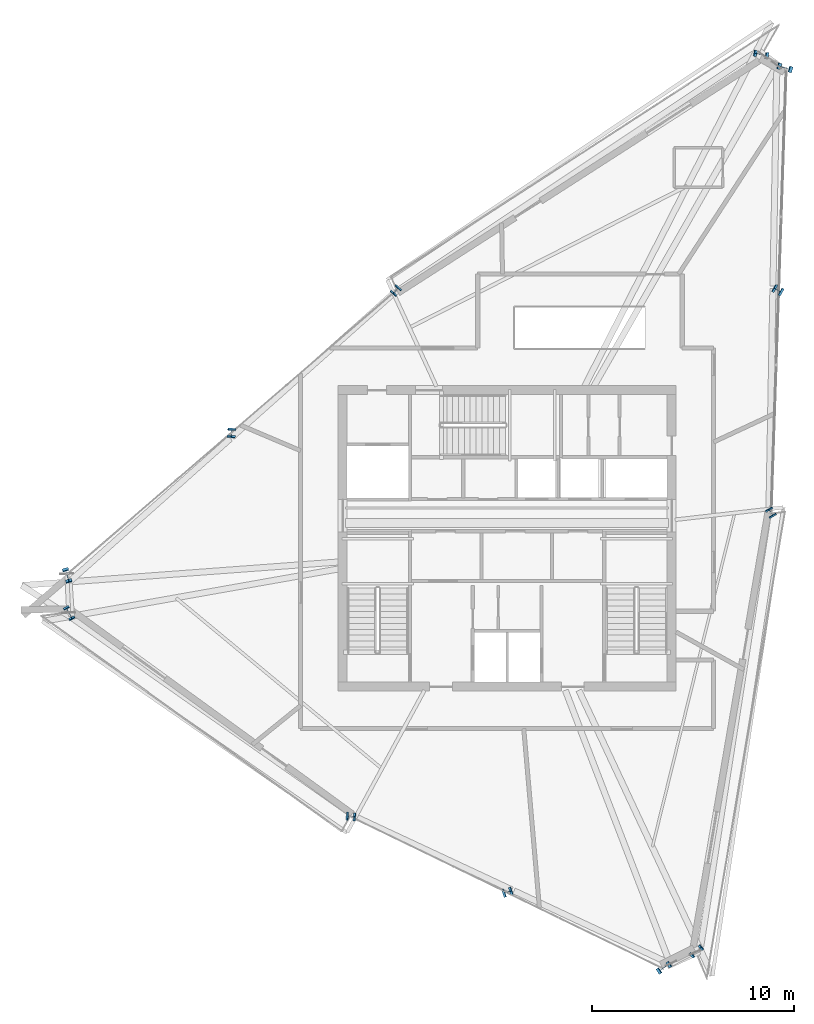
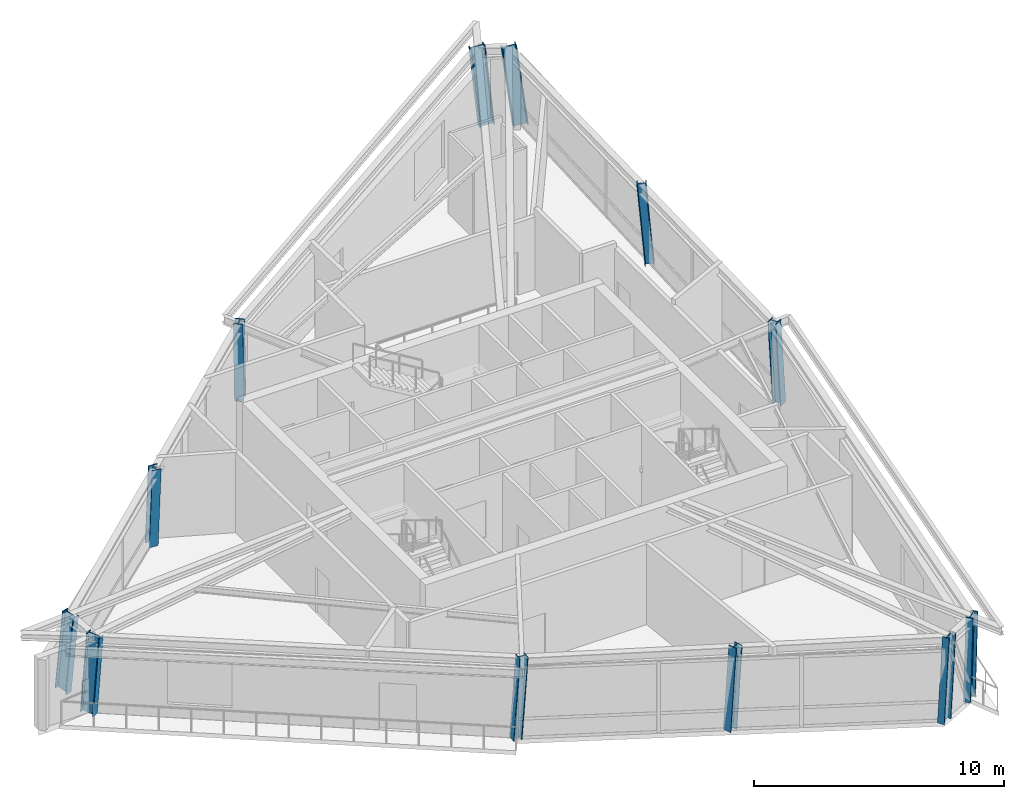
# One storey, part 1 of 22: 12 columns.
"""IFC4 building model written with IfcOpenShell, lengths in metres."""

from ifc_helpers import new_model, si_unit, direction, frame, origin, origin_2d, place, context, subcontext, project, spatial, i_section, extrude, source, transform, mapped, material, material_profile, profile_set, type_object, element, save


model = new_model("IFC4")

# Units and contexts
model_context = context("Model", 3, precision=1e-05, world=origin(), true_north=direction((0.0, 1.0)))
body_context = subcontext(model_context, "Body", "Model", "MODEL_VIEW")
ifc_project = project(units=[si_unit("LENGTHUNIT", "METRE"), si_unit("AREAUNIT", "SQUARE_METRE"), si_unit("VOLUMEUNIT", "CUBIC_METRE"), si_unit("PLANEANGLEUNIT", "RADIAN"), si_unit("MASSUNIT", "GRAM", prefix="KILO")], contexts=[model_context])

# Site, building, storey
site_placement = place(None, origin())
site = spatial("IfcSite", under=ifc_project, at=site_placement, CompositionType="ELEMENT")
building_placement = place(site_placement, origin())
building = spatial("IfcBuilding", under=site, at=building_placement, Name="Olszyna Solenne Hotel", CompositionType="ELEMENT")
storey_placement = place(building_placement, frame((0.0, 0.0, 281.89990234375)))
storey = spatial("IfcBuildingStorey", under=building, at=storey_placement, Name="L75", CompositionType="ELEMENT", Elevation=281.89990234375)

# Columns
ifc_material_1 = material(Name="Steel S355J2", Category="steel")
ifc_material_profile_1 = material_profile(ifc_material_1, i_section(OverallWidth=0.39794921875, OverallDepth=0.386962890625, WebThickness=0.0185546875, FlangeThickness=0.029052734375, at=origin_2d()), Name="HD 400x262", Category="load-bearing")
ifc_profile_set_1 = profile_set([ifc_material_profile_1], Name="Steel S355J2")
column_type_1 = type_object("IfcColumnType", Name="COL-T6", PredefinedType="COLUMN", material=ifc_profile_set_1)
shared_shape_1 = source(origin(), body_context, "Body", "SweptSolid", [
    extrude(i_section(OverallWidth=0.39794921875, OverallDepth=0.386962890625, WebThickness=0.0185546875, FlangeThickness=0.029052734375, at=origin_2d()), origin(), (0.0, 0.0, 1.0), 3.9453125),
])
column_1_placement = place(storey_placement, frame((24.39208984375, 31.8466796875, 0.0), z_axis=(-0.004888714821, -0.071598013262, 0.997421588379), x_axis=(0.997677037813, -0.068121422634, 0.0)))
element("IfcColumn", 1, at=column_1_placement, inside=storey, type_object=column_type_1, Name="Perimeter framed-tube column COL-T6 C-L75-04", PredefinedType="COLUMN", context=body_context, shape_type="MappedRepresentation", body=[
    mapped(shared_shape_1, transform((0.0, 0.0, 0.0), x_axis=(1.0, 0.0, 0.0), y_axis=(0.0, 1.0, 0.0), z_axis=(0.0, 0.0, 1.0), scale=1.0)),
])
ifc_material_2 = material(Name="Steel S460M", Category="steel")
ifc_material_profile_2 = material_profile(ifc_material_2, i_section(OverallWidth=0.304931640625, OverallDepth=0.6201171875, WebThickness=0.02099609375, FlangeThickness=0.0400390625, at=origin_2d()), Name="HEM 600", Category="load-bearing")
ifc_profile_set_2 = profile_set([ifc_material_profile_2], Name="Steel S460M")
column_type_2 = type_object("IfcColumnType", Name="COL-K3", PredefinedType="COLUMN", material=ifc_profile_set_2)
shared_shape_2 = source(origin(), body_context, "Body", "SweptSolid", [
    extrude(i_section(OverallWidth=0.304931640625, OverallDepth=0.6201171875, WebThickness=0.02099609375, FlangeThickness=0.0400390625, at=origin_2d()), origin(), (0.0, 0.0, 1.0), 3.958984375),
])
column_2_placement = place(storey_placement, frame((45.68994140625, 5.352783203125, 0.0), z_axis=(0.091887262438, 0.059572547325, 0.99398583622), x_axis=(-0.543998260544, 0.839086343903, 0.0)))
element("IfcColumn", 2, at=column_2_placement, inside=storey, type_object=column_type_2, Name="Perimeter framed-tube column COL-K3 C-L75-09", PredefinedType="COLUMN", context=body_context, shape_type="MappedRepresentation", body=[
    mapped(shared_shape_2, transform((0.0, 0.0, 0.0), x_axis=(1.0, 0.0, 0.0), y_axis=(0.0, 1.0, 0.0), z_axis=(0.0, 0.0, 1.0), scale=1.0)),
])
shared_shape_3 = source(origin(), body_context, "Body", "SweptSolid", [
    extrude(i_section(OverallWidth=0.39794921875, OverallDepth=0.386962890625, WebThickness=0.0185546875, FlangeThickness=0.029052734375, at=origin_2d()), origin(), (0.0, 0.0, 1.0), 3.94140625),
])
column_3_placement = place(storey_placement, frame((51.04443359375, 27.837890625, 0.0), z_axis=(-0.028432007479, 0.048811376674, 0.99840326044), x_axis=(-0.864096904342, -0.503325481082, 0.0)))
element("IfcColumn", 3, at=column_3_placement, inside=storey, type_object=column_type_1, Name="Perimeter framed-tube column COL-T6 C-L75-11", PredefinedType="COLUMN", context=body_context, shape_type="MappedRepresentation", body=[
    mapped(shared_shape_3, transform((0.0, 0.0, 0.0), x_axis=(1.0, 0.0, 0.0), y_axis=(0.0, 1.0, 0.0), z_axis=(0.0, 0.0, 1.0), scale=1.0)),
])
shared_shape_4 = source(origin(), body_context, "Body", "SweptSolid", [
    extrude(i_section(OverallWidth=0.39794921875, OverallDepth=0.386962890625, WebThickness=0.0185546875, FlangeThickness=0.029052734375, at=origin_2d()), origin(), (0.0, 0.0, 1.0), 3.948974609375),
])
column_4_placement = place(storey_placement, frame((51.41650390625, 38.826171875, 0.0), z_axis=(-0.072828075966, 0.041730858469, 0.996471076752), x_axis=(-0.497169755353, -0.867653291564, 0.0)))
element("IfcColumn", 4, at=column_4_placement, inside=storey, type_object=column_type_1, Name="Perimeter framed-tube column COL-T6 C-L75-12", PredefinedType="COLUMN", context=body_context, shape_type="MappedRepresentation", body=[
    mapped(shared_shape_4, transform((0.0, 0.0, 0.0), x_axis=(1.0, 0.0, 0.0), y_axis=(0.0, 1.0, 0.0), z_axis=(0.0, 0.0, 1.0), scale=1.0)),
])
shared_shape_5 = source(origin(), body_context, "Body", "SweptSolid", [
    extrude(i_section(OverallWidth=0.304931640625, OverallDepth=0.6201171875, WebThickness=0.02099609375, FlangeThickness=0.0400390625, at=origin_2d()), origin(), (0.0, 0.0, 1.0), 3.964599609375),
])
column_5_placement = place(storey_placement, frame((51.788330078125, 49.814208984375, 0.0), z_axis=(-0.116756713221, 0.034669846806, 0.992555223471), x_axis=(-0.284656369673, -0.958629621493, 0.0)))
element("IfcColumn", 5, at=column_5_placement, inside=storey, type_object=column_type_2, Name="Perimeter framed-tube column COL-K3 C-L75-01", PredefinedType="COLUMN", context=body_context, shape_type="MappedRepresentation", body=[
    mapped(shared_shape_5, transform((0.0, 0.0, 0.0), x_axis=(1.0, 0.0, 0.0), y_axis=(0.0, 1.0, 0.0), z_axis=(0.0, 0.0, 1.0), scale=1.0)),
])
shared_shape_6 = source(origin(), body_context, "Body", "SweptSolid", [
    extrude(i_section(OverallWidth=0.304931640625, OverallDepth=0.6201171875, WebThickness=0.02099609375, FlangeThickness=0.0400390625, at=origin_2d()), origin(), (0.0, 0.0, 1.0), 3.95458984375),
])
column_6_placement = place(storey_placement, frame((50.603271484375, 50.486083984375, 0.0), z_axis=(-0.097849200972, 0.018088211915, 0.995036858844), x_axis=(-0.181778226505, -0.983339552936, 0.0)))
element("IfcColumn", 6, at=column_6_placement, inside=storey, type_object=column_type_2, Name="Perimeter framed-tube column COL-K3 C-L75-02", PredefinedType="COLUMN", context=body_context, shape_type="MappedRepresentation", body=[
    mapped(shared_shape_6, transform((0.0, 0.0, 0.0), x_axis=(1.0, 0.0, 0.0), y_axis=(0.0, 1.0, 0.0), z_axis=(0.0, 0.0, 1.0), scale=1.0)),
])
shared_shape_7 = source(origin(), body_context, "Body", "SweptSolid", [
    extrude(i_section(OverallWidth=0.39794921875, OverallDepth=0.386962890625, WebThickness=0.0185546875, FlangeThickness=0.029052734375, at=origin_2d()), origin(), (0.0, 0.0, 1.0), 3.94189453125),
])
column_7_placement = place(storey_placement, frame((32.53076171875, 38.861083984375, 0.0), z_axis=(-0.039204330558, -0.044159064278, 0.9982549762), x_axis=(0.747814244306, -0.663908017736, 0.0)))
element("IfcColumn", 7, at=column_7_placement, inside=storey, type_object=column_type_1, Name="Perimeter framed-tube column COL-T6 C-L75-03", PredefinedType="COLUMN", context=body_context, shape_type="MappedRepresentation", body=[
    mapped(shared_shape_7, transform((0.0, 0.0, 0.0), x_axis=(1.0, 0.0, 0.0), y_axis=(0.0, 1.0, 0.0), z_axis=(0.0, 0.0, 1.0), scale=1.0)),
])
shared_shape_8 = source(origin(), body_context, "Body", "SweptSolid", [
    extrude(i_section(OverallWidth=0.304931640625, OverallDepth=0.6201171875, WebThickness=0.02099609375, FlangeThickness=0.0400390625, at=origin_2d()), origin(), (0.0, 0.0, 1.0), 3.9560546875),
])
column_8_placement = place(storey_placement, frame((16.25341796875, 24.83251953125, 0.0), z_axis=(0.029189564882, -0.098923620519, 0.994666821908), x_axis=(0.95911741707, 0.283008445586, 0.0)))
element("IfcColumn", 8, at=column_8_placement, inside=storey, type_object=column_type_2, Name="Perimeter framed-tube column COL-K3 C-L75-05", PredefinedType="COLUMN", context=body_context, shape_type="MappedRepresentation", body=[
    mapped(shared_shape_8, transform((0.0, 0.0, 0.0), x_axis=(1.0, 0.0, 0.0), y_axis=(0.0, 1.0, 0.0), z_axis=(0.0, 0.0, 1.0), scale=1.0)),
])
shared_shape_9 = source(origin(), body_context, "Body", "SweptSolid", [
    extrude(i_section(OverallWidth=0.304931640625, OverallDepth=0.6201171875, WebThickness=0.02099609375, FlangeThickness=0.0400390625, at=origin_2d()), origin(), (0.0, 0.0, 1.0), 3.945556640625),
])
column_9_placement = place(storey_placement, frame((16.348876953125, 22.947021484375, 0.0), z_axis=(0.034527375469, -0.064290220632, 0.997333759518), x_axis=(0.880987884191, 0.473138825196, 0.0)))
element("IfcColumn", 9, at=column_9_placement, inside=storey, type_object=column_type_2, Name="Perimeter framed-tube column COL-K3 C-L75-06", PredefinedType="COLUMN", context=body_context, shape_type="MappedRepresentation", body=[
    mapped(shared_shape_9, transform((0.0, 0.0, 0.0), x_axis=(1.0, 0.0, 0.0), y_axis=(0.0, 1.0, 0.0), z_axis=(0.0, 0.0, 1.0), scale=1.0)),
])
shared_shape_10 = source(origin(), body_context, "Body", "SweptSolid", [
    extrude(i_section(OverallWidth=0.39794921875, OverallDepth=0.386962890625, WebThickness=0.0185546875, FlangeThickness=0.029052734375, at=origin_2d()), origin(), (0.0, 0.0, 1.0), 3.9443359375),
])
column_10_placement = place(storey_placement, frame((30.248046875, 12.863525390625, 0.0), z_axis=(0.068518591156, -0.005323034182, 0.997635638885), x_axis=(0.077454064379, 0.996995921712, 0.0)))
element("IfcColumn", 10, at=column_10_placement, inside=storey, type_object=column_type_1, Name="Perimeter framed-tube column COL-T6 C-L75-07", PredefinedType="COLUMN", context=body_context, shape_type="MappedRepresentation", body=[
    mapped(shared_shape_10, transform((0.0, 0.0, 0.0), x_axis=(1.0, 0.0, 0.0), y_axis=(0.0, 1.0, 0.0), z_axis=(0.0, 0.0, 1.0), scale=1.0)),
])
shared_shape_11 = source(origin(), body_context, "Body", "SweptSolid", [
    extrude(i_section(OverallWidth=0.39794921875, OverallDepth=0.386962890625, WebThickness=0.0185546875, FlangeThickness=0.029052734375, at=origin_2d()), origin(), (0.0, 0.0, 1.0), 3.94921875),
])
column_11_placement = place(storey_placement, frame((37.968994140625, 9.108154296875, 0.0), z_axis=(0.080241513705, 0.02720051312, 0.996404251077), x_axis=(-0.321039281158, 0.947065879416, 0.0)))
element("IfcColumn", 11, at=column_11_placement, inside=storey, type_object=column_type_1, Name="Perimeter framed-tube column COL-T6 C-L75-08", PredefinedType="COLUMN", context=body_context, shape_type="MappedRepresentation", body=[
    mapped(shared_shape_11, transform((0.0, 0.0, 0.0), x_axis=(1.0, 0.0, 0.0), y_axis=(0.0, 1.0, 0.0), z_axis=(0.0, 0.0, 1.0), scale=1.0)),
])
shared_shape_12 = source(origin(), body_context, "Body", "SweptSolid", [
    extrude(i_section(OverallWidth=0.304931640625, OverallDepth=0.6201171875, WebThickness=0.02099609375, FlangeThickness=0.0400390625, at=origin_2d()), origin(), (0.0, 0.0, 1.0), 3.947021484375),
])
column_12_placement = place(storey_placement, frame((47.316162109375, 6.167236328125, 0.0), z_axis=(0.059317030489, 0.050781315987, 0.996946712638), x_axis=(-0.650334618995, 0.759647867986, 0.0)))
element("IfcColumn", 12, at=column_12_placement, inside=storey, type_object=column_type_2, Name="Perimeter framed-tube column COL-K3 C-L75-10", PredefinedType="COLUMN", context=body_context, shape_type="MappedRepresentation", body=[
    mapped(shared_shape_12, transform((0.0, 0.0, 0.0), x_axis=(1.0, 0.0, 0.0), y_axis=(0.0, 1.0, 0.0), z_axis=(0.0, 0.0, 1.0), scale=1.0)),
])

save(model, "model.ifc")
